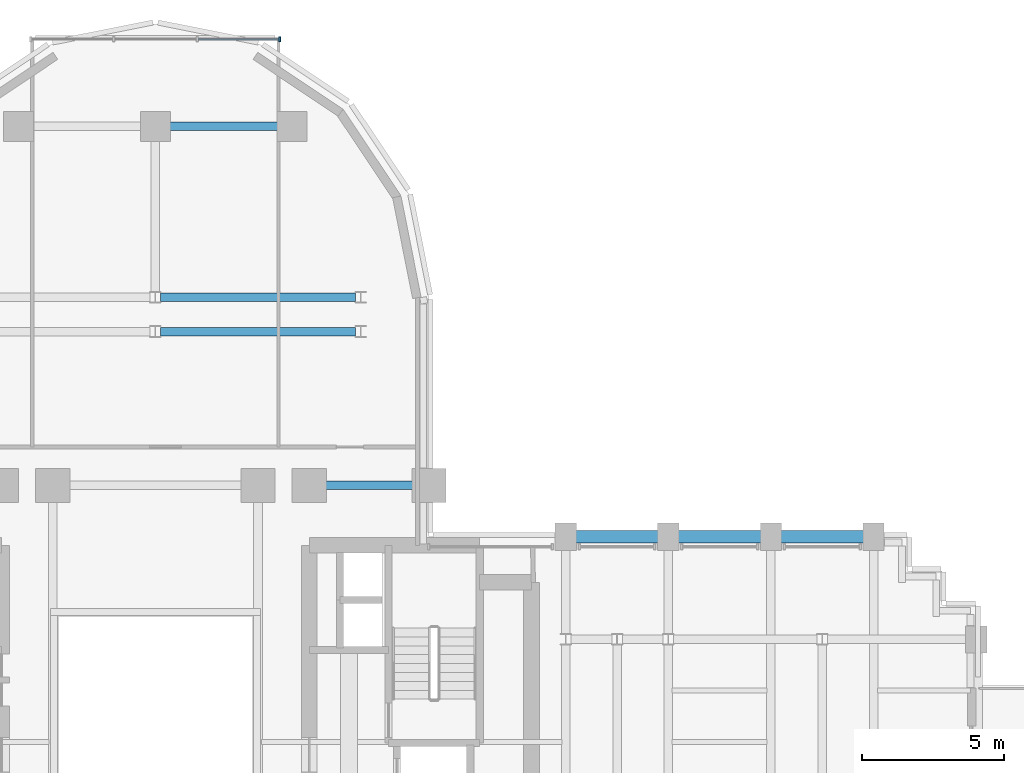
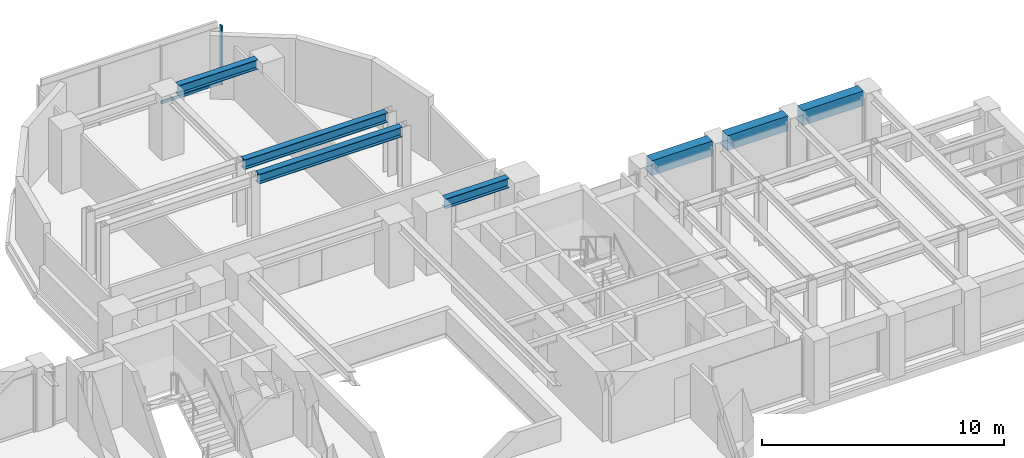
# One storey, part 8 of 15: 7 beams, 2 members, 1 element without a shape of its own.
"""IFC4 building model written with IfcOpenShell, lengths in metres."""

from ifc_helpers import new_model, si_unit, direction, frame, origin, origin_2d, place, context, subcontext, project, spatial, rectangle, i_section, extrude, source, transform, mapped, material, material_profile, profile_set, type_object, element, aggregate, save


model = new_model("IFC4")

# Units and contexts
model_context = context("Model", 3, precision=1e-05, world=origin(), true_north=direction((0.0, 1.0)))
body_context = subcontext(model_context, "Body", "Model", "MODEL_VIEW")
ifc_project = project(units=[si_unit("LENGTHUNIT", "METRE"), si_unit("AREAUNIT", "SQUARE_METRE"), si_unit("VOLUMEUNIT", "CUBIC_METRE"), si_unit("PLANEANGLEUNIT", "RADIAN"), si_unit("MASSUNIT", "GRAM", prefix="KILO")], contexts=[model_context])

# Site, building, storey
site_placement = place(None, origin())
site = spatial("IfcSite", under=ifc_project, at=site_placement, CompositionType="ELEMENT")
building_placement = place(site_placement, origin())
building = spatial("IfcBuilding", under=site, at=building_placement, Name="Keilestroom Media Tower", CompositionType="ELEMENT")
storey_placement = place(building_placement, frame((0.0, 0.0, 40.800048828125)))
storey = spatial("IfcBuildingStorey", under=building, at=storey_placement, Name="L09", CompositionType="ELEMENT", Elevation=40.800048828125)

# Beams
ifc_material_1 = material(Name="Precast concrete C40/50", Category="concrete")
ifc_material_profile_1 = material_profile(ifc_material_1, rectangle(XDim=0.449951171875, YDim=0.75, at=origin_2d()), Name="PC 450x750")
ifc_profile_set_1 = profile_set([ifc_material_profile_1], Name="Precast concrete C40/50")
beam_type_1 = type_object("IfcBeamType", Name="Perimeter-Spandrel-Beam-PC-450x750", PredefinedType="SPANDREL", material=ifc_profile_set_1)
shared_shape_1 = source(origin(), body_context, "Body", "SweptSolid", [
    extrude(rectangle(XDim=0.449951171875, YDim=0.75, at=origin_2d()), origin(), (0.0, 0.0, 1.0), 2.889892578125),
])
beam_1_placement = place(storey_placement, frame((21.955078125, 7.199951171875, 2.824951171875), z_axis=(1.0, 0.0, 0.0), x_axis=(0.0, 1.0, 0.0)))
element("IfcBeam", 1, at=beam_1_placement, inside=storey, type_object=beam_type_1, Name="L09 Beam SPB-1 BM-L09-EW-039", PredefinedType="SPANDREL", context=body_context, shape_type="MappedRepresentation", body=[
    mapped(shared_shape_1, transform((0.0, 0.0, 0.0), x_axis=(1.0, 0.0, 0.0), y_axis=(0.0, 1.0, 0.0), z_axis=(0.0, 0.0, 1.0), scale=1.0)),
])
shared_shape_2 = source(origin(), body_context, "Body", "SweptSolid", [
    extrude(rectangle(XDim=0.449951171875, YDim=0.75, at=origin_2d()), origin(), (0.0, 0.0, 1.0), 2.89013671875),
])
for number, where, z_axis, x_axis, name in (
    (2, (14.7548828125, 7.199951171875, 2.824951171875), (1.0, 0.0, 0.0), (0.0, 1.0, 0.0), "L09 Beam SPB-1 BM-L09-EW-037"),
    (3, (18.35498046875, 7.199951171875, 2.824951171875), (1.0, 0.0, 0.0), (0.0, 1.0, 0.0), "L09 Beam SPB-1 BM-L09-EW-038"),
):
    element("IfcBeam", number, at=place(storey_placement, frame(where, z_axis=z_axis, x_axis=x_axis)), inside=storey, type_object=beam_type_1, Name=name, PredefinedType="SPANDREL", context=body_context, shape_type="MappedRepresentation", body=[
        mapped(shared_shape_2, transform((0.0, 0.0, 0.0), x_axis=(1.0, 0.0, 0.0), y_axis=(0.0, 1.0, 0.0), z_axis=(0.0, 0.0, 1.0), scale=1.0)),
    ])
ifc_material_2 = material(Name="Steel S355", Category="steel")
ifc_material_profile_2 = material_profile(ifc_material_2, i_section(OverallWidth=0.300048828125, OverallDepth=0.489990234375, WebThickness=0.011962890625, FlangeThickness=0.02294921875, at=origin_2d()), Name="HEA 500")
ifc_profile_set_2 = profile_set([ifc_material_profile_2], Name="Steel S355")
beam_type_2 = type_object("IfcBeamType", Name="Primary-Structural-Girder-HEA-500", PredefinedType="BEAM", material=ifc_profile_set_2)
shared_shape_3 = source(origin(), body_context, "Body", "SweptSolid", [
    extrude(i_section(OverallWidth=0.300048828125, OverallDepth=0.489990234375, WebThickness=0.011962890625, FlangeThickness=0.02294921875, at=origin_2d()), origin(), (0.0, 0.0, 1.0), 3.7900390625),
])
beam_2_placement = place(storey_placement, frame((0.5048828125, 21.60009765625, 2.954833984375), z_axis=(1.0, 0.0, 0.0), x_axis=(0.0, 1.0, 0.0)))
element("IfcBeam", 4, at=beam_2_placement, inside=storey, type_object=beam_type_2, Name="L09 Beam BG-10 BM-L09-EW-050", PredefinedType="BEAM", context=body_context, shape_type="MappedRepresentation", body=[
    mapped(shared_shape_3, transform((0.0, 0.0, 0.0), x_axis=(1.0, 0.0, 0.0), y_axis=(0.0, 1.0, 0.0), z_axis=(0.0, 0.0, 1.0), scale=1.0)),
])
shared_shape_4 = source(origin(), body_context, "Body", "SweptSolid", [
    extrude(i_section(OverallWidth=0.300048828125, OverallDepth=0.489990234375, WebThickness=0.011962890625, FlangeThickness=0.02294921875, at=origin_2d()), origin(), (0.0, 0.0, 1.0), 6.836181640625),
])
for number, where, z_axis, x_axis, name in (
    (5, (0.181884765625, 14.39990234375, 2.954833984375), (1.0, 0.0, 0.0), (0.0, 1.0, 0.0), "L09 Beam BG-10 BM-L09-EW-046"),
    (6, (0.181884765625, 15.60009765625, 2.954833984375), (1.0, 0.0, 0.0), (0.0, 1.0, 0.0), "L09 Beam BG-10 BM-L09-EW-048"),
):
    element("IfcBeam", number, at=place(storey_placement, frame(where, z_axis=z_axis, x_axis=x_axis)), inside=storey, type_object=beam_type_2, Name=name, PredefinedType="BEAM", context=body_context, shape_type="MappedRepresentation", body=[
        mapped(shared_shape_4, transform((0.0, 0.0, 0.0), x_axis=(1.0, 0.0, 0.0), y_axis=(0.0, 1.0, 0.0), z_axis=(0.0, 0.0, 1.0), scale=1.0)),
    ])
shared_shape_5 = source(origin(), body_context, "Body", "SweptSolid", [
    extrude(i_section(OverallWidth=0.300048828125, OverallDepth=0.489990234375, WebThickness=0.011962890625, FlangeThickness=0.02294921875, at=origin_2d()), origin(), (0.0, 0.0, 1.0), 3.0400390625),
])
beam_3_placement = place(storey_placement, frame((5.97998046875, 9.0, 2.954833984375), z_axis=(1.0, 0.0, 0.0), x_axis=(0.0, 1.0, 0.0)))
element("IfcBeam", 7, at=beam_3_placement, inside=storey, type_object=beam_type_2, Name="L09 Beam BG-10 BM-L09-EW-044", PredefinedType="BEAM", context=body_context, shape_type="MappedRepresentation", body=[
    mapped(shared_shape_5, transform((0.0, 0.0, 0.0), x_axis=(1.0, 0.0, 0.0), y_axis=(0.0, 1.0, 0.0), z_axis=(0.0, 0.0, 1.0), scale=1.0)),
])

# Curtain wall, members
ifc_material_3 = material(Name="Anodised Aluminium Alloy", Category="aluminium")
curtain_wall_type = type_object("IfcCurtainWallType", Name="Unitised-Curtain-Wall-CW-6", PredefinedType="NOTDEFINED", material=ifc_material_3)
curtain_wall_placement = place(storey_placement, origin())
curtain_wall = element("IfcCurtainWall", 8, at=curtain_wall_placement, inside=storey, type_object=curtain_wall_type, Name="L09 Curtain Wall CW-6 CW-L09-LN-1", PredefinedType="NOTDEFINED")
ifc_material_profile_3 = material_profile(ifc_material_3, rectangle(XDim=0.06494140625, YDim=0.179931640625, at=origin_2d()), Name="ALU MULLION 65x180")
ifc_profile_set_3 = profile_set([ifc_material_profile_3], Name="Anodised Aluminium Alloy")
member_type_1 = type_object("IfcMemberType", Name="Curtain-Wall-Mullion-CW-6", PredefinedType="MULLION", material=ifc_profile_set_3)
shared_shape_6 = source(origin(), body_context, "Body", "SweptSolid", [
    extrude(rectangle(XDim=0.06494140625, YDim=0.179931640625, at=origin_2d()), origin(), (0.0, 0.0, 1.0), 2.97998046875),
])
member_1_placement = place(storey_placement, frame((4.367431640625, 24.64990234375, 0.0), z_axis=(0.0, 0.0, 1.0), x_axis=(1.0, 0.0, 0.0)))
member_1 = element("IfcMember", 9, at=member_1_placement, type_object=member_type_1, Name="CW-6 Mullion 03", PredefinedType="MULLION", context=body_context, shape_type="MappedRepresentation", body=[
    mapped(shared_shape_6, transform((0.0, 0.0, 0.0), x_axis=(1.0, 0.0, 0.0), y_axis=(0.0, 1.0, 0.0), z_axis=(0.0, 0.0, 1.0), scale=1.0)),
])
ifc_material_profile_4 = material_profile(ifc_material_3, rectangle(XDim=0.06494140625, YDim=0.14990234375, at=origin_2d()), Name="ALU TRANSOM 65x150")
ifc_profile_set_4 = profile_set([ifc_material_profile_4], Name="Anodised Aluminium Alloy")
member_type_2 = type_object("IfcMemberType", Name="Curtain-Wall-Transom-CW-6", PredefinedType="USERDEFINED", material=ifc_profile_set_4)
shared_shape_7 = source(origin(), body_context, "Body", "SweptSolid", [
    extrude(rectangle(XDim=0.06494140625, YDim=0.14990234375, at=origin_2d()), origin(), (0.0, 0.0, 1.0), 2.839599609375),
])
member_2_placement = place(storey_placement, frame((1.497314453125, 24.64990234375, 0.074951171875), z_axis=(1.0, 0.0, 0.0), x_axis=(0.0, 1.0, 0.0)))
member_2 = element("IfcMember", 10, at=member_2_placement, type_object=member_type_2, Name="CW-6 Transom 02.1", ObjectType="TRANSOM", PredefinedType="USERDEFINED", context=body_context, shape_type="MappedRepresentation", body=[
    mapped(shared_shape_7, transform((0.0, 0.0, 0.0), x_axis=(1.0, 0.0, 0.0), y_axis=(0.0, 1.0, 0.0), z_axis=(0.0, 0.0, 1.0), scale=1.0)),
])
aggregate(curtain_wall, [member_1, member_2])

save(model, "model.ifc")
